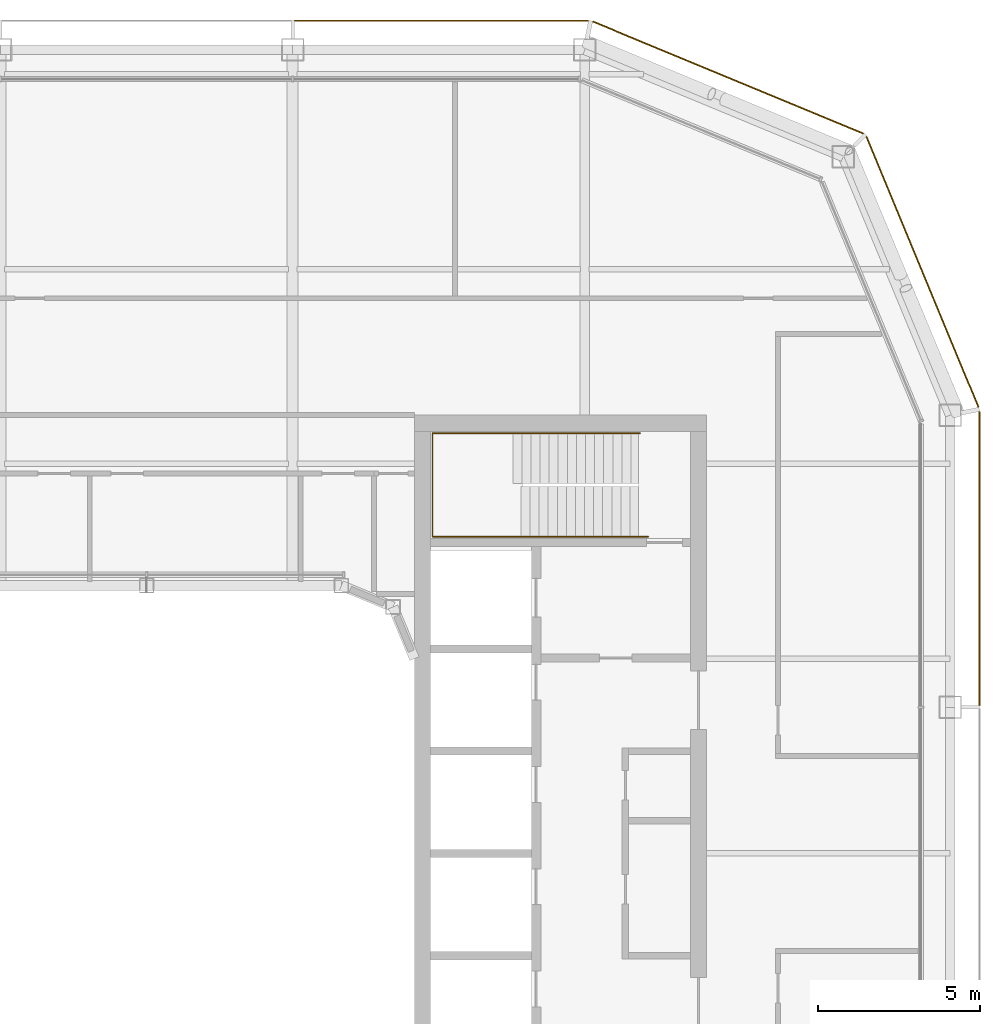
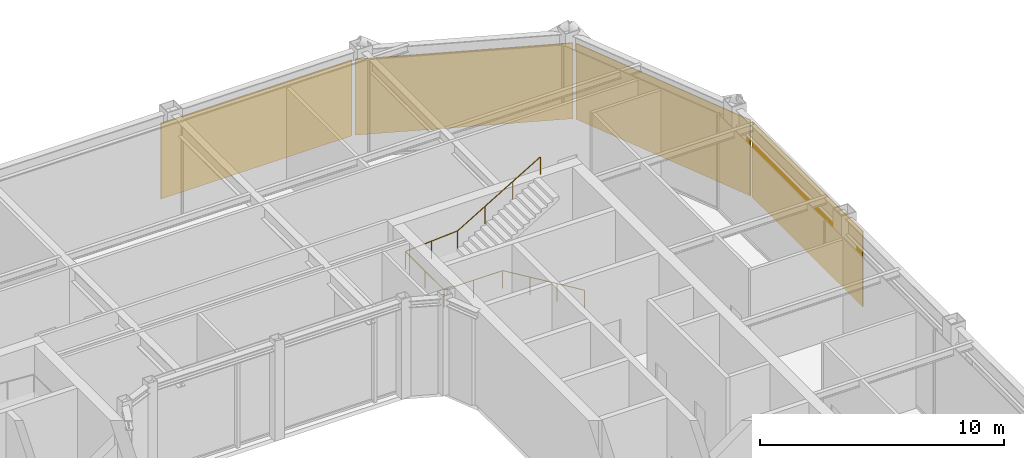
# One storey, part 17 of 17: 4 coverings, 1 railing.
"""IFC4 building model written with IfcOpenShell, lengths in metres."""

from ifc_helpers import new_model, si_unit, direction, frame, origin, origin_2d, place, context, subcontext, project, spatial, rectangle, circle, extrude, material, layer, layer_set, type_object, element, save


model = new_model("IFC4")

# Units and contexts
model_context = context("Model", 3, precision=1e-05, world=origin(), true_north=direction((0.0, 1.0)))
body_context = subcontext(model_context, "Body", "Model", "MODEL_VIEW")
ifc_project = project(units=[si_unit("LENGTHUNIT", "METRE"), si_unit("AREAUNIT", "SQUARE_METRE"), si_unit("VOLUMEUNIT", "CUBIC_METRE"), si_unit("PLANEANGLEUNIT", "RADIAN"), si_unit("MASSUNIT", "GRAM", prefix="KILO")], contexts=[model_context])

# Site, building, storey
site_placement = place(None, origin())
site = spatial("IfcSite", under=ifc_project, at=site_placement, CompositionType="ELEMENT")
building_placement = place(site_placement, origin())
building = spatial("IfcBuilding", under=site, at=building_placement, Name="Siwar Civic Tower", CompositionType="ELEMENT")
storey_placement = place(building_placement, frame((0.0, 0.0, 348.199951171875)))
storey = spatial("IfcBuildingStorey", under=building, at=storey_placement, Name="L75", CompositionType="ELEMENT", Elevation=348.199951171875)

# Railing
ifc_material_1 = material(Name="Stainless steel", Category="steel")
railing_type = type_object("IfcRailingType", Name="CORE-STAIR-HANDRAIL", PredefinedType="HANDRAIL", material=ifc_material_1)
railing_placement = place(storey_placement, frame((15.449951171875, 9.758056640625, 0.166748046875)))
element("IfcRailing", 1, at=railing_placement, inside=storey, type_object=railing_type, Name="Stair handrail ST3", PredefinedType="HANDRAIL", context=body_context, shape_type="SweptSolid", body=[
    extrude(circle(Radius=0.02001953125, at=origin_2d()), frame((0.0, 0.0, 0.8798828125), z_axis=(-0.856384976194, 0.0, 0.516337847296), x_axis=(0.0, -1.0, 0.0)), (0.0, 0.0, 1.0), 4.518798828125),
    extrude(circle(Radius=0.02001953125, at=origin_2d()), frame((-3.869873046875, 0.0, 3.213134765625), z_axis=(-1.0, 0.0, 0.0), x_axis=(0.0, -1.0, 0.0)), (0.0, 0.0, 1.0), 2.77197265625),
    extrude(circle(Radius=0.02001953125, at=origin_2d()), frame((-6.641845703125, 0.0, 3.213134765625), z_axis=(0.0, 1.0, 0.0), x_axis=(-1.0, 0.0, 0.0)), (0.0, 0.0, 1.0), 3.183837890625),
    extrude(circle(Radius=0.02001953125, at=origin_2d()), frame((-6.641845703125, 3.183837890625, 3.213134765625), z_axis=(0.997732526271, 0.0, 0.067303833624), x_axis=(0.0, 1.0, 0.0)), (0.0, 0.0, 1.0), 2.4775390625),
    extrude(circle(Radius=0.02001953125, at=origin_2d()), frame((-4.169921875, 3.183837890625, 3.3798828125), z_axis=(0.859296244711, 0.0, 0.511478214419), x_axis=(0.0, 1.0, 0.0)), (0.0, 0.0, 1.0), 4.561767578125),
    extrude(circle(Radius=0.02001953125, at=origin_2d()), origin(), (0.0, 0.0, 1.0), 0.85986328125),
    extrude(circle(Radius=0.02001953125, at=origin_2d()), frame((-1.2900390625, 0.0, 0.77783203125)), (0.0, 0.0, 1.0), 0.85986328125),
    extrude(circle(Radius=0.02001953125, at=origin_2d()), frame((-2.579833984375, 0.0, 1.555419921875)), (0.0, 0.0, 1.0), 0.85986328125),
    extrude(circle(Radius=0.02001953125, at=origin_2d()), frame((-3.869873046875, 0.0, 2.333251953125)), (0.0, 0.0, 1.0), 0.85986328125),
    extrude(circle(Radius=0.02001953125, at=origin_2d()), frame((-5.255859375, 0.0, 2.333251953125)), (0.0, 0.0, 1.0), 0.85986328125),
    extrude(circle(Radius=0.02001953125, at=origin_2d()), frame((-6.641845703125, 0.0, 2.333251953125)), (0.0, 0.0, 1.0), 0.85986328125),
    extrude(circle(Radius=0.02001953125, at=origin_2d()), frame((-6.641845703125, 1.591796875, 2.333251953125)), (0.0, 0.0, 1.0), 0.85986328125),
    extrude(circle(Radius=0.02001953125, at=origin_2d()), frame((-6.641845703125, 3.183837890625, 2.333251953125)), (0.0, 0.0, 1.0), 0.85986328125),
    extrude(circle(Radius=0.02001953125, at=origin_2d()), frame((-5.40576171875, 3.183837890625, 2.41650390625)), (0.0, 0.0, 1.0), 0.85986328125),
    extrude(circle(Radius=0.02001953125, at=origin_2d()), frame((-4.169921875, 3.183837890625, 2.5)), (0.0, 0.0, 1.0), 0.85986328125),
    extrude(circle(Radius=0.02001953125, at=origin_2d()), frame((-2.86328125, 3.183837890625, 3.27783203125)), (0.0, 0.0, 1.0), 0.85986328125),
    extrude(circle(Radius=0.02001953125, at=origin_2d()), frame((-1.556640625, 3.183837890625, 4.055419921875)), (0.0, 0.0, 1.0), 0.85986328125),
    extrude(circle(Radius=0.02001953125, at=origin_2d()), frame((-0.25, 3.183837890625, 4.833251953125)), (0.0, 0.0, 1.0), 0.85986328125),
])

# Coverings
ifc_material_2 = material(Name="Perforated aluminium cassette, pale metal", Category="aluminium")
ifc_layer = layer(ifc_material_2, 0.0400390625)
ifc_layer_set = layer_set([ifc_layer], Name="Perforated aluminium cassette, pale metal")
covering_type = type_object("IfcCoveringType", Name="ENV-OUTER SKIN OS-1", PredefinedType="CLADDING", material=ifc_layer_set)
covering_1_placement = place(storey_placement, frame((25.64990234375, 9.07958984375, -0.2001953125), z_axis=(0.0, 0.0, 1.0), x_axis=(0.0, 1.0, 0.0)))
element("IfcCovering", 2, at=covering_1_placement, inside=storey, type_object=covering_type, Name="OUTER SKIN OS-1 E 3", PredefinedType="CLADDING", context=body_context, shape_type="SweptSolid", body=[
    extrude(rectangle(XDim=9.05908203125, YDim=0.0400390625, at=origin_2d()), origin(), (0.0, 0.0, 1.0), 3.800048828125),
])
for number, where, z_axis, x_axis, name in (
    (3, (23.89697265625, 17.911376953125, -0.2001953125), (0.0, 0.0, 1.0), (-0.382683432365, 0.923879532511, 0.0), "OUTER SKIN OS-1 NE1 1"),
    (4, (17.911376953125, 23.89697265625, -0.2001953125), (0.0, 0.0, 1.0), (-0.923879532511, 0.382683432365, 0.0), "OUTER SKIN OS-1 NE2 1"),
):
    element("IfcCovering", number, at=place(storey_placement, frame(where, z_axis=z_axis, x_axis=x_axis)), inside=storey, type_object=covering_type, Name=name, PredefinedType="CLADDING", context=body_context, shape_type="SweptSolid", body=[
        extrude(rectangle(XDim=9.022216796875, YDim=0.0400390625, at=origin_2d()), origin(), (0.0, 0.0, 1.0), 3.800048828125),
    ])
covering_2_placement = place(storey_placement, frame((9.07958984375, 25.64990234375, -0.2001953125), z_axis=(0.0, 0.0, 1.0), x_axis=(-1.0, 0.0, 0.0)))
element("IfcCovering", 5, at=covering_2_placement, inside=storey, type_object=covering_type, Name="OUTER SKIN OS-1 N 1", PredefinedType="CLADDING", context=body_context, shape_type="SweptSolid", body=[
    extrude(rectangle(XDim=9.05908203125, YDim=0.0400390625, at=origin_2d()), origin(), (0.0, 0.0, 1.0), 3.800048828125),
])

save(model, "model.ifc")
